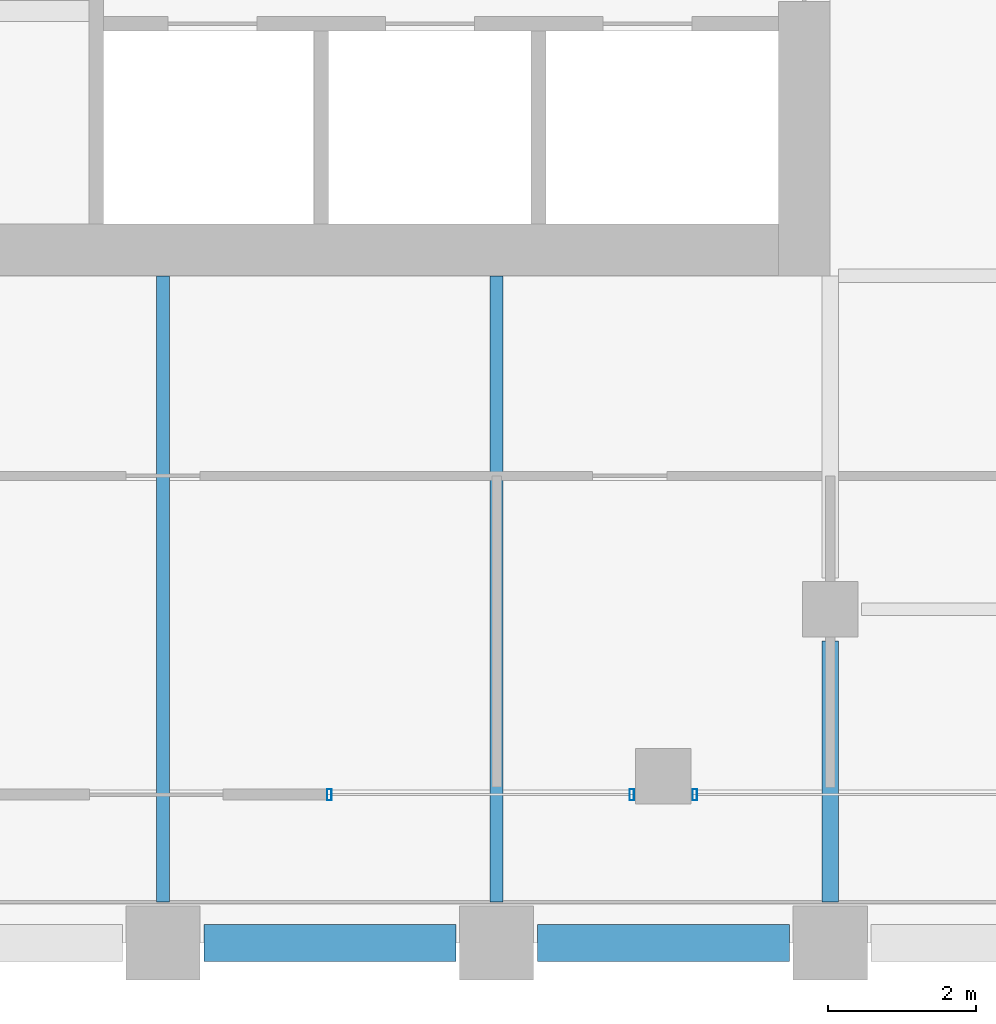
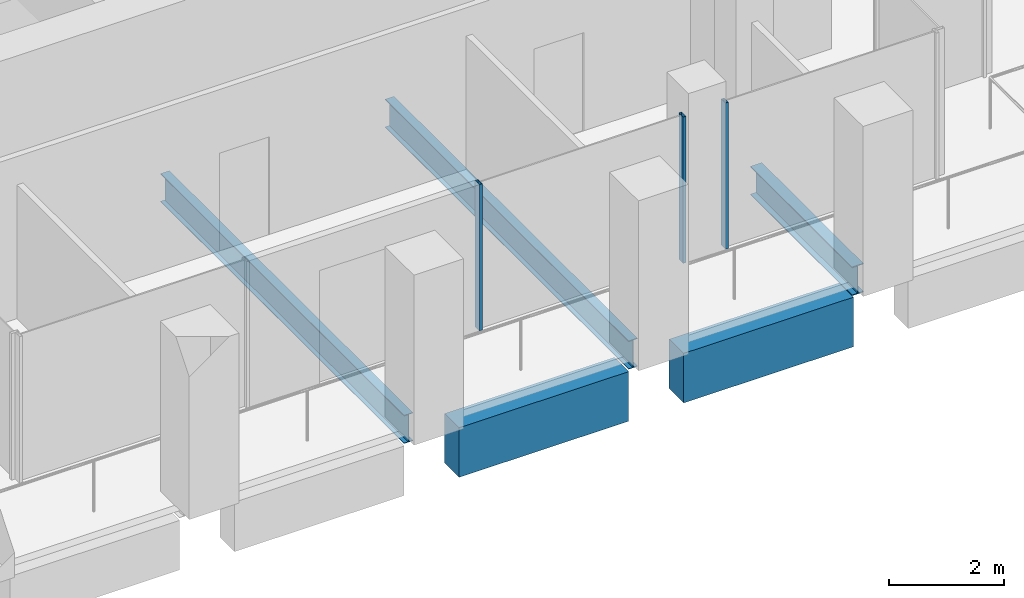
# One storey, part 33 of 52: 5 beams, 3 members, 2 elements without a shape of their own.
"""IFC4 building model written with IfcOpenShell, lengths in metres."""

from ifc_helpers import new_model, si_unit, direction, frame, origin, origin_2d, place, context, subcontext, project, spatial, rectangle, hollow_rectangle, i_section, extrude, material, material_profile, profile_set, type_object, element, aggregate, save


model = new_model("IFC4")

# Units and contexts
model_context = context("Model", 3, precision=1e-05, world=origin(), true_north=direction((0.0, 1.0)))
body_context = subcontext(model_context, "Body", "Model", "MODEL_VIEW")
ifc_project = project(units=[si_unit("LENGTHUNIT", "METRE"), si_unit("AREAUNIT", "SQUARE_METRE"), si_unit("VOLUMEUNIT", "CUBIC_METRE"), si_unit("PLANEANGLEUNIT", "RADIAN"), si_unit("MASSUNIT", "GRAM", prefix="KILO")], contexts=[model_context])

# Site, building, storey
site_placement = place(None, origin())
site = spatial("IfcSite", under=ifc_project, at=site_placement, CompositionType="ELEMENT")
building_placement = place(site_placement, origin())
building = spatial("IfcBuilding", under=site, at=building_placement, Name="Altepetl Exchange Towers", CompositionType="ELEMENT")
storey_placement = place(building_placement, frame((0.0, 0.0, 92.0)))
storey = spatial("IfcBuildingStorey", under=building, at=storey_placement, Name="L22", CompositionType="ELEMENT", Elevation=92.0)

# Beams
ifc_material_1 = material(Name="Steel S355", Category="steel")
ifc_material_profile_1 = material_profile(ifc_material_1, i_section(OverallWidth=0.177978515625, OverallDepth=0.59912109375, WebThickness=0.010009765625, FlangeThickness=0.0126953125, at=origin_2d()), Name="W24X55")
ifc_profile_set_1 = profile_set([ifc_material_profile_1], Name="Steel S355")
beam_type_1 = type_object("IfcBeamType", Name="Floor beam W24X55", PredefinedType="BEAM", material=ifc_profile_set_1)
for number, where, z_axis, x_axis, name in (
    (1, (108.0, 27.550048828125, -0.449462890625), (0.0, 1.0, 0.0), (-1.0, 0.0, 0.0), "bm:B:L22:006"),
    (2, (112.5, 27.550048828125, -0.449462890625), (0.0, 1.0, 0.0), (-1.0, 0.0, 0.0), "bm:B:L22:007"),
):
    element("IfcBeam", number, at=place(storey_placement, frame(where, z_axis=z_axis, x_axis=x_axis)), inside=storey, type_object=beam_type_1, Name=name, PredefinedType="BEAM", context=body_context, shape_type="SweptSolid", body=[
        extrude(i_section(OverallWidth=0.177978515625, OverallDepth=0.59912109375, WebThickness=0.010009765625, FlangeThickness=0.0126953125, at=origin_2d()), origin(), (0.0, 0.0, 1.0), 8.449951171875),
    ])
ifc_material_profile_2 = material_profile(ifc_material_1, i_section(OverallWidth=0.22802734375, OverallDepth=0.60791015625, WebThickness=0.01123046875, FlangeThickness=0.017333984375, at=origin_2d()), Name="W24X76")
ifc_profile_set_2 = profile_set([ifc_material_profile_2], Name="Steel S355")
beam_type_2 = type_object("IfcBeamType", Name="Girder W24X76", PredefinedType="BEAM", material=ifc_profile_set_2)
beam_placement = place(storey_placement, frame((117.0, 31.074951171875, -0.4541015625), z_axis=(0.0, -1.0, 0.0), x_axis=(1.0, 0.0, 0.0)))
element("IfcBeam", 3, at=beam_placement, inside=storey, type_object=beam_type_2, Name="gd:B:L22:001", PredefinedType="BEAM", context=body_context, shape_type="SweptSolid", body=[
    extrude(i_section(OverallWidth=0.22802734375, OverallDepth=0.60791015625, WebThickness=0.01123046875, FlangeThickness=0.017333984375, at=origin_2d()), origin(), (0.0, 0.0, 1.0), 3.52490234375),
])

# Curtain wall, members
ifc_material_2 = material(Name="Aluminium 6063-T6 glazing", Category="aluminium")
curtain_wall_type = type_object("IfcCurtainWallType", Name="Loggia glazing system", PredefinedType="NOTDEFINED", material=ifc_material_2)
curtain_wall_1_placement = place(storey_placement, origin())
curtain_wall_1 = element("IfcCurtainWall", 4, at=curtain_wall_1_placement, inside=storey, type_object=curtain_wall_type, Name="CW1 run", PredefinedType="NOTDEFINED")
ifc_material_3 = material(Name="Aluminium 6063-T6", Category="aluminium")
ifc_material_profile_3 = material_profile(ifc_material_3, hollow_rectangle(XDim=0.06005859375, YDim=0.14990234375, WallThickness=0.0029296875, at=origin_2d()), Name="Mullion 60x150 aluminium")
ifc_profile_set_3 = profile_set([ifc_material_profile_3], Name="Aluminium 6063-T6")
member_type = type_object("IfcMemberType", Name="Mullion 60x150 aluminium", PredefinedType="MULLION", material=ifc_profile_set_3)
member_1_placement = place(storey_placement, frame((110.242431640625, 29.0, 0.0)))
member_1 = element("IfcMember", 5, at=member_1_placement, type_object=member_type, Name="MU1 mullion", PredefinedType="MULLION", context=body_context, shape_type="SweptSolid", body=[
    extrude(hollow_rectangle(XDim=0.06005859375, YDim=0.14990234375, WallThickness=0.0029296875, at=origin_2d()), origin(), (0.0, 0.0, 1.0), 3.10009765625),
])
member_2_placement = place(storey_placement, frame((114.324951171875, 29.0, 0.0)))
member_2 = element("IfcMember", 6, at=member_2_placement, type_object=member_type, Name="MU1 mullion", PredefinedType="MULLION", context=body_context, shape_type="SweptSolid", body=[
    extrude(hollow_rectangle(XDim=0.06005859375, YDim=0.14990234375, WallThickness=0.0029296875, at=origin_2d()), origin(), (0.0, 0.0, 1.0), 3.10009765625),
])
aggregate(curtain_wall_1, [member_1, member_2])

# Curtain wall, member
curtain_wall_2_placement = place(storey_placement, origin())
curtain_wall_2 = element("IfcCurtainWall", 7, at=curtain_wall_2_placement, inside=storey, type_object=curtain_wall_type, Name="CW1 run", PredefinedType="NOTDEFINED")
member_3_placement = place(storey_placement, frame((115.175048828125, 29.0, 0.0)))
member_3 = element("IfcMember", 8, at=member_3_placement, type_object=member_type, Name="MU1 mullion", PredefinedType="MULLION", context=body_context, shape_type="SweptSolid", body=[
    extrude(hollow_rectangle(XDim=0.06005859375, YDim=0.14990234375, WallThickness=0.0029296875, at=origin_2d()), origin(), (0.0, 0.0, 1.0), 3.10009765625),
])
aggregate(curtain_wall_2, [member_3])

# Beams
ifc_material_4 = material(Name="Concrete C50/60 precast with tezontle facing", Category="concrete")
ifc_material_profile_4 = material_profile(ifc_material_4, rectangle(XDim=0.5, YDim=1.050048828125, at=origin_2d()), Name="500 x 1050")
ifc_profile_set_4 = profile_set([ifc_material_profile_4], Name="Concrete C50/60 precast with tezontle facing")
beam_type_3 = type_object("IfcBeamType", Name="Spandrel beam 500x1050 tezontle", PredefinedType="SPANDREL", material=ifc_profile_set_4)
for number, where, z_axis, x_axis, name in (
    (9, (108.550048828125, 27.0, -0.675048828125), (1.0, 0.0, 0.0), (0.0, 1.0, 0.0), "sp:B:L22:002"),
    (10, (113.050048828125, 27.0, -0.675048828125), (1.0, 0.0, 0.0), (0.0, 1.0, 0.0), "sp:B:L22:003"),
):
    element("IfcBeam", number, at=place(storey_placement, frame(where, z_axis=z_axis, x_axis=x_axis)), inside=storey, type_object=beam_type_3, Name=name, PredefinedType="SPANDREL", context=body_context, shape_type="SweptSolid", body=[
        extrude(rectangle(XDim=0.5, YDim=1.050048828125, at=origin_2d()), origin(), (0.0, 0.0, 1.0), 3.39990234375),
    ])

save(model, "model.ifc")
